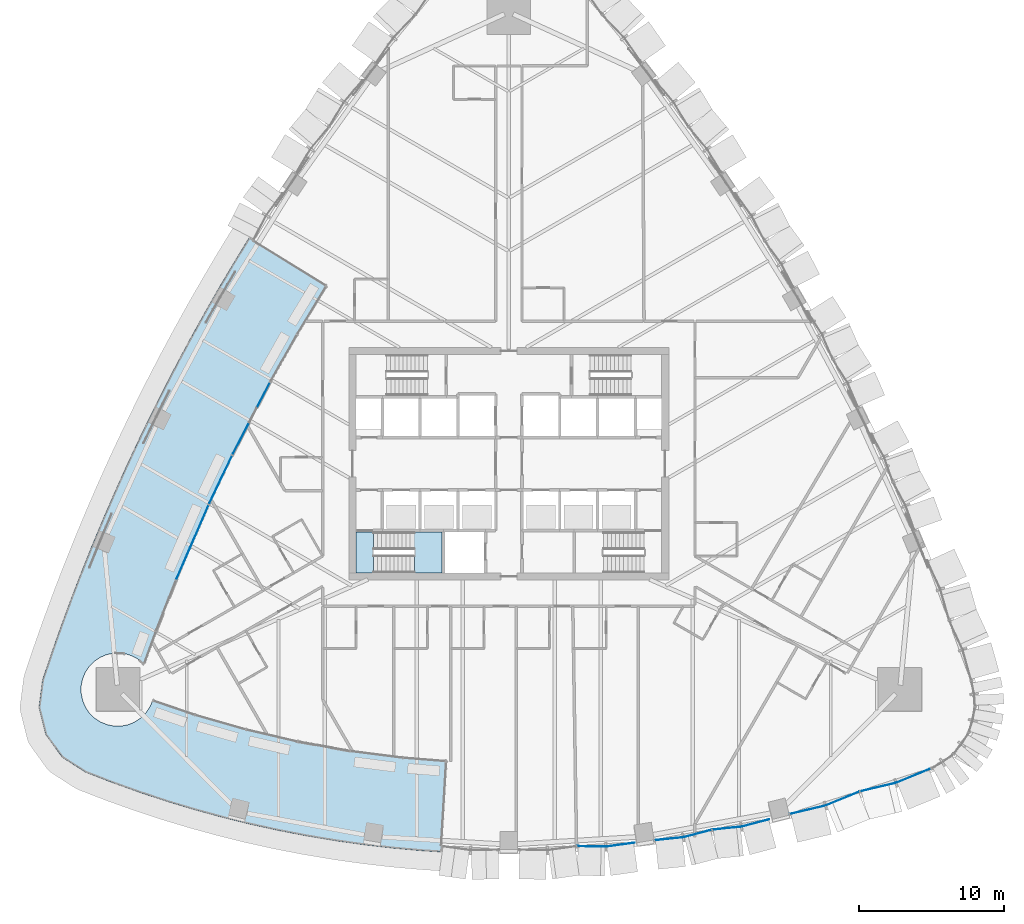
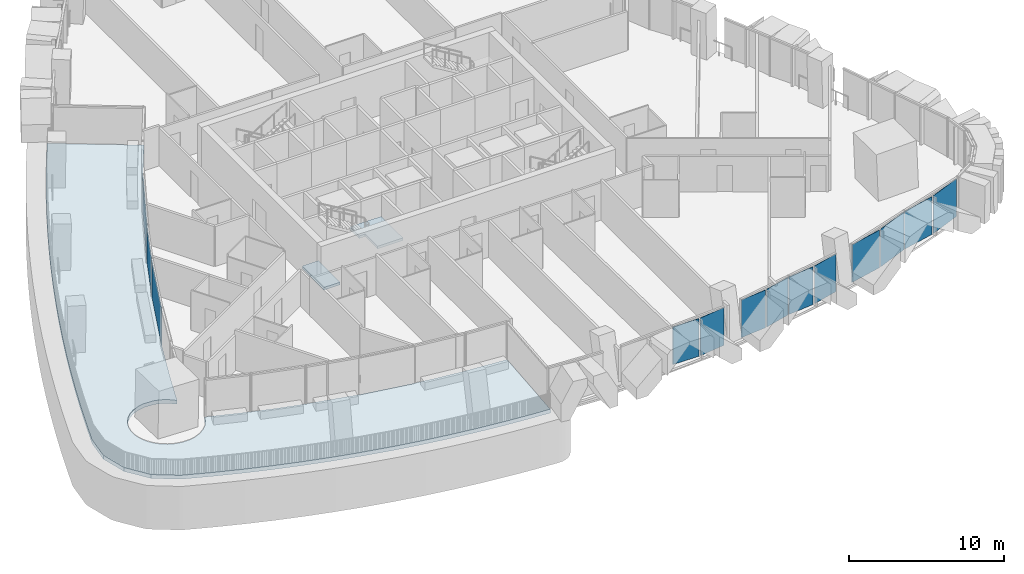
# One storey, part 10 of 24: 13 plates, 3 slabs, 7 elements without a shape of their own.
"""IFC4 building model written with IfcOpenShell, lengths in metres."""

import ifcopenshell
import ifcopenshell.guid

model = None  # the IFC model being written
_history = None  # IfcOwnerHistory: only IFC2X3 demands one
_inside = {}  # id of a spatial element -> (the spatial element, [elements in it])
_under = {}  # id of a project, library or spatial element -> (it, [spatial elements below it])
_declared = {}  # id of a project -> (the project, [libraries it declares])
_typed = {}  # id of a type object -> (the type object, [elements of that type])
_made_of = {}  # id of a material, layer set ... -> (it, [elements and type objects made of it])


def new_model(schema):
    """Start an empty IFC model of exactly this schema.

    Asked for "IFC4X3", IfcOpenShell would pick the latest addendum, in which some entities
    have other attributes; the version numbers below select the first issue.
    IFC2X3 requires an IfcOwnerHistory on every rooted entity: one is made here for all.
    """
    global model, _history
    if schema == "IFC4X3":
        model = ifcopenshell.file(schema_version=(4, 3, 0, 0))
    else:
        model = ifcopenshell.file(schema=schema)
    _inside.clear()
    _under.clear()
    _declared.clear()
    _typed.clear()
    _made_of.clear()
    _history = None
    if model.schema == "IFC2X3":
        org = make("IfcOrganization", Name="unknown")
        user = make(
            "IfcPersonAndOrganization",
            ThePerson=make("IfcPerson", FamilyName="unknown"),
            TheOrganization=org,
        )
        app = make(
            "IfcApplication",
            ApplicationDeveloper=org,
            Version="unknown",
            ApplicationFullName="unknown",
            ApplicationIdentifier="unknown",
        )
        _history = make(
            "IfcOwnerHistory",
            OwningUser=user,
            OwningApplication=app,
            ChangeAction="ADDED",
            CreationDate=0,
        )
    return model


def make(cls, **values):
    """One entity of the class cls with the attributes given. An attribute that is None is left unset."""
    return model.create_entity(
        cls, **{name: value for name, value in values.items() if value is not None}
    )


def rooted(cls, **values):
    """An entity with a GlobalId (a new one), such as an element, a storey or a relation."""
    return make(cls, GlobalId=ifcopenshell.guid.new(), OwnerHistory=_history, **values)


def si_unit(unit_type, name, prefix=None):
    """IfcSIUnit, for example si_unit("LENGTHUNIT", "METRE", prefix="MILLI")."""
    return make("IfcSIUnit", UnitType=unit_type, Prefix=prefix, Name=name)


def assignment(units):
    """IfcUnitAssignment: the units of a project."""
    return None if units is None else make("IfcUnitAssignment", Units=units)


def point(xyz):
    """IfcCartesianPoint."""
    return None if xyz is None else make("IfcCartesianPoint", Coordinates=xyz)


def direction(xyz):
    """IfcDirection."""
    return None if xyz is None else make("IfcDirection", DirectionRatios=xyz)


def frame(location, z_axis=None, x_axis=None):
    """IfcAxis2Placement3D, a coordinate frame: its origin and axes. An axis left out is left unset."""
    return make(
        "IfcAxis2Placement3D",
        Location=point(location),
        Axis=direction(z_axis),
        RefDirection=direction(x_axis),
    )


def frame_2d(location, x_axis=None):
    """IfcAxis2Placement2D, a coordinate frame in the plane: its origin and x axis."""
    return make(
        "IfcAxis2Placement2D", Location=point(location), RefDirection=direction(x_axis)
    )


def origin():
    """The frame at (0, 0, 0) with its axes left unset."""
    return frame((0.0, 0.0, 0.0))


def origin_2d():
    """The frame at (0, 0) in the plane with its x axis left unset."""
    return frame_2d((0.0, 0.0))


def place(relative_to, where):
    """IfcLocalPlacement: puts the frame where relative to a parent placement (None: the world)."""
    return make(
        "IfcLocalPlacement", PlacementRelTo=relative_to, RelativePlacement=where
    )


def context(
    kind, dimensions, precision=None, world=None, true_north=None, identifier=None
):
    """IfcGeometricRepresentationContext, for example the 3D "Model" context."""
    return make(
        "IfcGeometricRepresentationContext",
        ContextIdentifier=identifier,
        ContextType=kind,
        CoordinateSpaceDimension=dimensions,
        Precision=precision,
        WorldCoordinateSystem=world,
        TrueNorth=true_north,
    )


def subcontext(parent, identifier, kind, view, scale=None):
    """IfcGeometricRepresentationSubContext, for example "Body" below "Model"."""
    return make(
        "IfcGeometricRepresentationSubContext",
        ContextIdentifier=identifier,
        ContextType=kind,
        ParentContext=parent,
        TargetScale=scale,
        TargetView=view,
    )


def project(units=None, contexts=None):
    """IfcProject with its units and contexts."""
    return rooted(
        "IfcProject",
        Name="project",
        RepresentationContexts=contexts,
        UnitsInContext=assignment(units),
    )


def spatial(cls, under=None, at=None, **own):
    """A site, building, storey or space (cls), placed at a placement, below another one or the project."""
    s = rooted(cls, ObjectPlacement=at, **own)
    if under is not None:
        _under.setdefault(under.id(), (under, []))[1].append(s)
    return s


def polyline(points):
    """IfcPolyline through the points."""
    return make("IfcPolyline", Points=[point(p) for p in points])


def profile(cls, at=None, kind="AREA", **sizes):
    """A parametric profile (cls). Its sizes go by their IFC names, for example OverallWidth=200.0."""
    return make(cls, ProfileType=kind, Position=at, **sizes)


def rectangle(**sizes):
    """IfcRectangleProfileDef."""
    return profile("IfcRectangleProfileDef", **sizes)


def outline(outer, holes=None, kind="AREA"):
    """IfcArbitraryClosedProfileDef: a profile drawn as a closed curve; with holes, ...WithVoids."""
    if holes is None:
        return make("IfcArbitraryClosedProfileDef", ProfileType=kind, OuterCurve=outer)
    return make(
        "IfcArbitraryProfileDefWithVoids",
        ProfileType=kind,
        OuterCurve=outer,
        InnerCurves=holes,
    )


def extrude(swept, where, along, depth):
    """IfcExtrudedAreaSolid: the profile swept, set in the frame where, extruded along a direction by depth."""
    return make(
        "IfcExtrudedAreaSolid",
        SweptArea=swept,
        Position=where,
        ExtrudedDirection=direction(along),
        Depth=depth,
    )


def shape(context_of_items, identifier, shape_type, items):
    """IfcShapeRepresentation: the items that make up one representation, for example the "Body"."""
    return make(
        "IfcShapeRepresentation",
        ContextOfItems=context_of_items,
        RepresentationIdentifier=identifier,
        RepresentationType=shape_type,
        Items=items,
    )


def material(Name=None, Category=None):
    """IfcMaterial."""
    return make("IfcMaterial", Name=Name, Category=Category)


def layer(
    of_material, thickness, ventilated=None, Name=None, Category=None, Priority=None
):
    """IfcMaterialLayer: one layer of a wall or slab, of a material (None: an air gap)."""
    return make(
        "IfcMaterialLayer",
        Material=of_material,
        LayerThickness=thickness,
        IsVentilated=ventilated,
        Name=Name,
        Category=Category,
        Priority=Priority,
    )


def layer_set(layers, Name=None):
    """IfcMaterialLayerSet."""
    return make("IfcMaterialLayerSet", MaterialLayers=layers, LayerSetName=Name)


def made_of(thing, what):
    """Note that an element or type object is made of a material, layer set ...; save() writes the relation."""
    if what is not None:
        _made_of.setdefault(what.id(), (what, []))[1].append(thing)
    return thing


def type_object(cls, material=None, **own):
    """A type object (cls), such as IfcWallType, which elements share."""
    return made_of(rooted(cls, **own), material)


def element(
    cls,
    number,
    at=None,
    inside=None,
    cuts=None,
    type_object=None,
    material=None,
    context=None,
    identifier="Body",
    shape_type=None,
    held_by="IfcProductDefinitionShape",
    body=None,
    shapes=None,
    **own,
):
    """One element of the class cls, such as IfcWall. Its Tag is "e" and its number.

    at: its placement. inside: the storey or other place that contains it. cuts: it is an
    opening in that element (IfcRelVoidsElement). A single representation is given by context,
    identifier, shape_type and body (its items); several are given by shapes. held_by: the class
    of the entity that holds the representations. save() writes the other relations.
    """
    e = rooted(cls, Tag="e%d" % number, ObjectPlacement=at, **own)
    if body is not None:
        shapes = [shape(context, identifier, shape_type, body)]
    if shapes is not None:
        e.Representation = make(held_by, Representations=shapes)
    if inside is not None:
        _inside.setdefault(inside.id(), (inside, []))[1].append(e)
    if cuts is not None:
        rooted(
            "IfcRelVoidsElement", RelatingBuildingElement=cuts, RelatedOpeningElement=e
        )
    if type_object is not None:
        _typed.setdefault(type_object.id(), (type_object, []))[1].append(e)
    return made_of(e, material)


def aggregate(whole, parts):
    """IfcRelAggregates: a whole, such as a stair, and the parts it consists of."""
    return rooted("IfcRelAggregates", RelatingObject=whole, RelatedObjects=parts)


def save(model, path):
    """Write the relations noted so far, then the file.

    IfcRelAggregates (storeys below a building ...), IfcRelContainedInSpatialStructure (elements
    in a storey), IfcRelDefinesByType, IfcRelAssociatesMaterial and IfcRelDeclares: one each for
    every whole, place, type object, material and project.
    """
    for whole, parts in _under.values():
        aggregate(whole, parts)
    for where, things in _inside.values():
        rooted(
            "IfcRelContainedInSpatialStructure",
            RelatedElements=things,
            RelatingStructure=where,
        )
    for kind, things in _typed.values():
        rooted("IfcRelDefinesByType", RelatedObjects=things, RelatingType=kind)
    for what, things in _made_of.values():
        rooted("IfcRelAssociatesMaterial", RelatedObjects=things, RelatingMaterial=what)
    for by, libraries in _declared.values():
        rooted("IfcRelDeclares", RelatingContext=by, RelatedDefinitions=libraries)
    model.write(path)


model = new_model("IFC4")

# Units and contexts
model_context = context("Model", 3, precision=1e-05, world=origin(), true_north=direction((0.0, 1.0)))
body_context = subcontext(model_context, "Body", "Model", "MODEL_VIEW")
ifc_project = project(units=[si_unit("LENGTHUNIT", "METRE"), si_unit("AREAUNIT", "SQUARE_METRE"), si_unit("VOLUMEUNIT", "CUBIC_METRE"), si_unit("PLANEANGLEUNIT", "RADIAN"), si_unit("MASSUNIT", "GRAM", prefix="KILO")], contexts=[model_context])

# Site, building, storey
site_placement = place(None, origin())
site = spatial("IfcSite", under=ifc_project, at=site_placement, CompositionType="ELEMENT")
building_placement = place(site_placement, origin())
building = spatial("IfcBuilding", under=site, at=building_placement, Name="Sierra Prisma Convention Tower", CompositionType="ELEMENT")
storey_placement = place(building_placement, frame((0.0, 0.0, 59.10009765625)))
storey = spatial("IfcBuildingStorey", under=building, at=storey_placement, Name="L10", CompositionType="ELEMENT", Elevation=59.10009765625)

# Curtain wall, plates
ifc_material_1 = material(Name="Aluminium and glass curtain wall", Category="aluminium")
ifc_layer_1 = layer(ifc_material_1, 0.179931640625)
ifc_layer_set_1 = layer_set([ifc_layer_1], Name="CW-2 Faceted crystal curtain wall")
curtain_wall_type_1 = type_object("IfcCurtainWallType", Name="CW-2 Faceted crystal curtain wall", PredefinedType="NOTDEFINED", material=ifc_layer_set_1)
curtain_wall_1_placement = place(storey_placement, origin())
curtain_wall_1 = element("IfcCurtainWall", 1, at=curtain_wall_1_placement, inside=storey, type_object=curtain_wall_type_1, Name="CW-2 S4 L10", PredefinedType="NOTDEFINED")
ifc_material_2 = material(Name="Tinted glass bronze-grey IGU", Category="glass")
ifc_layer_2 = layer(ifc_material_2, 0.028076171875)
ifc_layer_set_2 = layer_set([ifc_layer_2], Name="CW-2 crystal pane")
plate_type_1 = type_object("IfcPlateType", Name="CW-2 crystal pane", PredefinedType="CURTAIN_PANEL", material=ifc_layer_set_2)
plate_1_placement = place(storey_placement, frame((4.69189453125, -26.3134765625, 0.0), z_axis=(-0.018552983004, -0.999827878598, 0.0), x_axis=(0.999827878598, -0.018552983004, 0.0)))
plate_1 = element("IfcPlate", 2, at=plate_1_placement, type_object=plate_type_1, Name="CW-2 pane S4.2.1", PredefinedType="CURTAIN_PANEL", context=body_context, shape_type="SweptSolid", body=[
    extrude(outline(polyline([(0.0, 0.0), (1.9212291221501858, 0.0), (1.9212291221501858, 2.97998046875), (0.0, 2.97998046875), (0.0, 0.0)])), origin(), (0.0, 0.0, -1.0), 0.028076171875),
])
plate_2_placement = place(storey_placement, frame((8.64501953125, -26.076171875, 0.0), z_axis=(0.138004707245, -0.990431572991, 0.0), x_axis=(-0.990431572991, -0.138004707245, 0.0)))
plate_2 = element("IfcPlate", 3, at=plate_2_placement, type_object=plate_type_1, Name="CW-2 pane S4.2.2", PredefinedType="CURTAIN_PANEL", context=body_context, shape_type="SweptSolid", body=[
    extrude(outline(polyline([(0.0, 0.0), (1.921215037100355, 0.0), (1.921215037100355, -2.97998046875), (0.0, -2.97998046875), (0.0, 0.0)])), origin(), (0.0, 0.0, -1.0), 0.028076171875),
])
aggregate(curtain_wall_1, [plate_1, plate_2])

curtain_wall_2_placement = place(storey_placement, origin())
curtain_wall_2 = element("IfcCurtainWall", 4, at=curtain_wall_2_placement, inside=storey, type_object=curtain_wall_type_1, Name="CW-2 S5 L10", PredefinedType="NOTDEFINED")
plate_3_placement = place(storey_placement, frame((10.0205078125, -25.9072265625, 0.0), z_axis=(0.101778938133, -0.994807040462, 0.0), x_axis=(0.994807040462, 0.101778938133, 0.0)))
plate_3 = element("IfcPlate", 5, at=plate_3_placement, type_object=plate_type_1, Name="CW-2 pane S5.1.1", PredefinedType="CURTAIN_PANEL", context=body_context, shape_type="SweptSolid", body=[
    extrude(outline(polyline([(0.0, 0.0), (1.933379806858854, 0.0), (1.933379806858854, 2.97998046875), (0.0, 2.97998046875), (0.0, 0.0)])), origin(), (0.0, 0.0, -1.0), 0.028076171875),
])
plate_4_placement = place(storey_placement, frame((13.93994140625, -25.192138671875, 0.0), z_axis=(0.256121656514, -0.9666445557, 0.0), x_axis=(-0.9666445557, -0.256121656514, 0.0)))
plate_4 = element("IfcPlate", 6, at=plate_4_placement, type_object=plate_type_1, Name="CW-2 pane S5.1.2", PredefinedType="CURTAIN_PANEL", context=body_context, shape_type="SweptSolid", body=[
    extrude(outline(polyline([(0.0, 0.0), (1.933132848813107, 0.0), (1.933132848813107, -2.9799804687500004), (0.0, -2.9799804687500004), (0.0, 0.0)])), origin(), (0.0, 0.0, -1.0), 0.028076171875),
])
plate_5_placement = place(storey_placement, frame((14.0087890625, -25.179443359375, 0.0), z_axis=(0.101778938133, -0.994807040462, 0.0), x_axis=(0.994807040462, 0.101778938133, 0.0)))
plate_5 = element("IfcPlate", 7, at=plate_5_placement, type_object=plate_type_1, Name="CW-2 pane S5.2.1", PredefinedType="CURTAIN_PANEL", context=body_context, shape_type="SweptSolid", body=[
    extrude(outline(polyline([(0.0, 0.0), (1.933379806858854, 0.0), (1.933379806858854, 2.97998046875), (0.0, 2.97998046875), (0.0, 0.0)])), origin(), (0.0, 0.0, -1.0), 0.028076171875),
])
plate_6_placement = place(storey_placement, frame((17.92822265625, -24.46435546875, 0.0), z_axis=(0.256121656514, -0.9666445557, 0.0), x_axis=(-0.9666445557, -0.256121656514, 0.0)))
plate_6 = element("IfcPlate", 8, at=plate_6_placement, type_object=plate_type_1, Name="CW-2 pane S5.2.2", PredefinedType="CURTAIN_PANEL", context=body_context, shape_type="SweptSolid", body=[
    extrude(outline(polyline([(0.0, 0.0), (1.933132848813107, 0.0), (1.933132848813107, -2.9799804687500004), (0.0, -2.9799804687500004), (0.0, 0.0)])), origin(), (0.0, 0.0, -1.0), 0.028076171875),
])
aggregate(curtain_wall_2, [plate_3, plate_4, plate_5, plate_6])

curtain_wall_3_placement = place(storey_placement, origin())
curtain_wall_3 = element("IfcCurtainWall", 9, at=curtain_wall_3_placement, inside=storey, type_object=curtain_wall_type_1, Name="CW-2 S6 L10", PredefinedType="NOTDEFINED")
plate_7_placement = place(storey_placement, frame((19.333740234375, -24.103759765625, 0.0), z_axis=(0.230929975978, -0.972970372722, 0.0), x_axis=(0.972970372722, 0.230929975978, 0.0)))
plate_7 = element("IfcPlate", 10, at=plate_7_placement, type_object=plate_type_1, Name="CW-2 pane S6.1.1", PredefinedType="CURTAIN_PANEL", context=body_context, shape_type="SweptSolid", body=[
    extrude(outline(polyline([(0.0, 0.0), (2.453775817649766, 0.0), (2.453775817649766, 2.97998046875), (0.0, 2.97998046875), (0.0, 0.0)])), origin(), (0.0, 0.0, -1.0), 0.028076171875),
])
plate_8_placement = place(storey_placement, frame((24.1142578125, -22.564453125, 0.0), z_axis=(0.380259355029, -0.92487989648, 0.0), x_axis=(-0.92487989648, -0.380259355029, 0.0)))
plate_8 = element("IfcPlate", 11, at=plate_8_placement, type_object=plate_type_1, Name="CW-2 pane S6.1.2", PredefinedType="CURTAIN_PANEL", context=body_context, shape_type="SweptSolid", body=[
    extrude(outline(polyline([(0.0, 0.0), (2.453865911279123, 0.0), (2.453865911279123, -2.97998046875), (0.0, -2.97998046875), (0.0, 0.0)])), origin(), (0.0, 0.0, -1.0), 0.028076171875),
])
plate_9_placement = place(storey_placement, frame((24.180908203125, -22.54296875, 0.0), z_axis=(0.230929975978, -0.972970372722, 0.0), x_axis=(0.972970372722, 0.230929975978, 0.0)))
plate_9 = element("IfcPlate", 12, at=plate_9_placement, type_object=plate_type_1, Name="CW-2 pane S6.2.1", PredefinedType="CURTAIN_PANEL", context=body_context, shape_type="SweptSolid", body=[
    extrude(outline(polyline([(0.0, 0.0), (2.453775817649766, 0.0), (2.453775817649766, 2.97998046875), (0.0, 2.97998046875), (0.0, 0.0)])), origin(), (0.0, 0.0, -1.0), 0.028076171875),
])
plate_10_placement = place(storey_placement, frame((28.96142578125, -21.003662109375, 0.0), z_axis=(0.380259355029, -0.92487989648, 0.0), x_axis=(-0.92487989648, -0.380259355029, 0.0)))
plate_10 = element("IfcPlate", 13, at=plate_10_placement, type_object=plate_type_1, Name="CW-2 pane S6.2.2", PredefinedType="CURTAIN_PANEL", context=body_context, shape_type="SweptSolid", body=[
    extrude(outline(polyline([(0.0, 0.0), (2.453865911279123, 0.0), (2.453865911279123, -2.97998046875), (0.0, -2.97998046875), (0.0, 0.0)])), origin(), (0.0, 0.0, -1.0), 0.028076171875),
])
aggregate(curtain_wall_3, [plate_7, plate_8, plate_9, plate_10])

# Curtain wall, plate
ifc_material_3 = material(Name="Aluminium and glass curtain wall", Category="aluminium")
ifc_layer_3 = layer(ifc_material_3, 0.179931640625)
ifc_layer_set_3 = layer_set([ifc_layer_3], Name="CW-6 Terrace recess curtain wall")
curtain_wall_type_2 = type_object("IfcCurtainWallType", Name="CW-6 Terrace recess curtain wall", PredefinedType="NOTDEFINED", material=ifc_layer_set_3)
curtain_wall_4_placement = place(storey_placement, origin())
curtain_wall_4 = element("IfcCurtainWall", 14, at=curtain_wall_4_placement, inside=storey, type_object=curtain_wall_type_2, Name="CW-6 R3 L10", PredefinedType="NOTDEFINED")
ifc_material_4 = material(Name="Tinted glass bronze-grey IGU", Category="glass")
ifc_layer_4 = layer(ifc_material_4, 0.028076171875)
ifc_layer_set_4 = layer_set([ifc_layer_4], Name="CW-6 glass panel")
plate_type_2 = type_object("IfcPlateType", Name="CW-6 glass panel", PredefinedType="CURTAIN_PANEL", material=ifc_layer_set_4)
plate_11_placement = place(storey_placement, frame((-17.7060546875, 3.12890625, 0.0), z_axis=(0.0, 0.0, 1.0), x_axis=(-0.460266819277, -0.887780634545, 0.0)))
plate_11 = element("IfcPlate", 15, at=plate_11_placement, type_object=plate_type_2, Name="CW-6 panel R3.1", PredefinedType="CURTAIN_PANEL", context=body_context, shape_type="SweptSolid", body=[
    extrude(rectangle(XDim=5.516845703125, YDim=0.028076171875, at=origin_2d()), origin(), (0.0, 0.0, 1.0), 2.919921875),
])
aggregate(curtain_wall_4, [plate_11])

curtain_wall_5_placement = place(storey_placement, origin())
curtain_wall_5 = element("IfcCurtainWall", 16, at=curtain_wall_5_placement, inside=storey, type_object=curtain_wall_type_2, Name="CW-6 R4 L10", PredefinedType="NOTDEFINED")
plate_12_placement = place(storey_placement, frame((-19.817138671875, -1.08544921875, 0.0), z_axis=(0.0, 0.0, 1.0), x_axis=(-0.429148646654, -0.903233878392, 0.0)))
plate_12 = element("IfcPlate", 17, at=plate_12_placement, type_object=plate_type_2, Name="CW-6 panel R4.1", PredefinedType="CURTAIN_PANEL", context=body_context, shape_type="SweptSolid", body=[
    extrude(rectangle(XDim=3.63134765625, YDim=0.028076171875, at=origin_2d()), origin(), (0.0, 0.0, 1.0), 2.919921875),
])
aggregate(curtain_wall_5, [plate_12])

curtain_wall_6_placement = place(storey_placement, origin())
curtain_wall_6 = element("IfcCurtainWall", 18, at=curtain_wall_6_placement, inside=storey, type_object=curtain_wall_type_2, Name="CW-6 R5 L10", PredefinedType="NOTDEFINED")
plate_13_placement = place(storey_placement, frame((-21.750732421875, -5.384033203125, 0.0), z_axis=(0.0, 0.0, 1.0), x_axis=(-0.397512430068, -0.917596789413, 0.0)))
plate_13 = element("IfcPlate", 19, at=plate_13_placement, type_object=plate_type_2, Name="CW-6 panel R5.1", PredefinedType="CURTAIN_PANEL", context=body_context, shape_type="SweptSolid", body=[
    extrude(rectangle(XDim=5.516845703125, YDim=0.028076171875, at=origin_2d()), origin(), (0.0, 0.0, 1.0), 2.919921875),
])
aggregate(curtain_wall_6, [plate_13])

# Stair, slab
ifc_material_5 = material(Name="Concrete C30/37", Category="concrete")
stair_type = type_object("IfcStairType", Name="Stair dog-leg 1200 RC", PredefinedType="HALF_TURN_STAIR", material=ifc_material_5)
stair_placement = place(storey_placement, origin())
stair = element("IfcStair", 20, at=stair_placement, inside=storey, type_object=stair_type, Name="L10 S1", PredefinedType="HALF_TURN_STAIR")
ifc_material_6 = material(Name="Concrete C35/45", Category="concrete")
ifc_layer_5 = layer(ifc_material_6, 0.199951171875)
ifc_layer_set_5 = layer_set([ifc_layer_5], Name="Stair landing slab")
slab_type_1 = type_object("IfcSlabType", Name="Stair landing slab", PredefinedType="LANDING", material=ifc_layer_set_5)
slab_1_placement = place(storey_placement, frame((0.0, 0.0, 1.64990234375)))
slab_1 = element("IfcSlab", 21, at=slab_1_placement, type_object=slab_type_1, Name="S1 landing 1", PredefinedType="LANDING", context=body_context, shape_type="SweptSolid", body=[
    extrude(outline(polyline([(-4.60009765625, -4.699951171875), (-4.60009765625, -7.5), (-6.501953125, -7.5), (-6.501953125, -5.89990234375), (-6.949951171875, -5.89990234375), (-6.949951171875, -4.699951171875), (-4.60009765625, -4.699951171875)])), origin(), (0.0, 0.0, 1.0), 0.199951171875),
])
aggregate(stair, [slab_1])

# Slabs
slab_2_placement = place(storey_placement, frame((0.0, 0.0, -0.2001953125)))
element("IfcSlab", 22, at=slab_2_placement, inside=storey, type_object=slab_type_1, Name="S1 floor landing L10", PredefinedType="LANDING", context=body_context, shape_type="SweptSolid", body=[
    extrude(outline(polyline([(-10.5, -7.5), (-9.298095703125, -7.5), (-9.298095703125, -4.699951171875), (-10.5, -4.699951171875), (-10.5, -7.5)])), origin(), (0.0, 0.0, 1.0), 0.2001953125),
])
ifc_material_7 = material(Name="Concrete C50/60", Category="concrete")
ifc_layer_6 = layer(ifc_material_7, 0.300048828125)
ifc_layer_set_6 = layer_set([ifc_layer_6], Name="Terrace slab")
slab_type_2 = type_object("IfcSlabType", Name="Terrace slab", PredefinedType="FLOOR", material=ifc_layer_set_6)
slab_3_placement = place(storey_placement, frame((0.0, 0.0, -0.300048828125)))
element("IfcSlab", 23, at=slab_3_placement, inside=storey, type_object=slab_type_2, Name="Terrace slab L10", PredefinedType="FLOOR", context=body_context, shape_type="SweptSolid", body=[
    extrude(outline(polyline([(-17.87939453125, 15.522216796875), (-17.92431640625, 15.450927734375), (-18.95166015625, 13.766845703125), (-19.95556640625, 12.06884765625), (-20.935546875, 10.35693359375), (-21.891845703125, 8.631591796875), (-22.823974609375, 6.893310546875), (-23.73193359375, 5.14208984375), (-24.615478515625, 3.378173828125), (-25.474365234375, 1.6025390625), (-26.308349609375, -0.18505859375), (-27.11767578125, -1.984130859375), (-27.90185546875, -3.794189453125), (-28.66064453125, -5.61474609375), (-29.394287109375, -7.446044921875), (-30.102294921875, -9.287109375), (-30.78466796875, -11.137939453125), (-31.441162109375, -12.998046875), (-32.07177734375, -14.8671875), (-32.3203125, -16.766845703125), (-31.852294921875, -18.62451171875), (-30.733642578125, -20.1796875), (-29.12109375, -21.214111328125), (-27.265869140625, -21.93212890625), (-25.392822265625, -22.602783203125), (-23.50341796875, -23.225341796875), (-21.598876953125, -23.7998046875), (-19.68017578125, -24.325439453125), (-17.748779296875, -24.802001953125), (-15.8056640625, -25.2294921875), (-13.8525390625, -25.60693359375), (-11.890380859375, -25.934814453125), (-9.92041015625, -26.212646484375), (-7.944091796875, -26.440185546875), (-5.962646484375, -26.6171875), (-4.681396484375, -26.698974609375), (-4.305419921875, -20.460205078125), (-7.308349609375, -20.221923828125), (-9.126708984375, -20.0126953125), (-10.93896484375, -19.757080078125), (-14.541015625, -19.108154296875), (-18.10546875, -18.276611328125), (-19.87060546875, -17.79296875), (-21.622802734375, -17.2646484375), (-24.496826171875, -16.28515625), (-24.678466796875, -16.720458984375), (-24.953125, -17.13134765625), (-25.302490234375, -17.48095703125), (-25.713623046875, -17.755615234375), (-26.170166015625, -17.944580078125), (-26.655029296875, -18.041015625), (-27.149169921875, -18.041015625), (-27.634033203125, -17.944580078125), (-28.090576171875, -17.755615234375), (-28.501708984375, -17.48095703125), (-28.85107421875, -17.13134765625), (-29.125732421875, -16.720458984375), (-29.31494140625, -16.263916015625), (-29.411376953125, -15.779052734375), (-29.411376953125, -15.284912109375), (-29.31494140625, -14.800048828125), (-29.125732421875, -14.343505859375), (-28.85107421875, -13.932373046875), (-28.501708984375, -13.5830078125), (-28.090576171875, -13.308349609375), (-27.634033203125, -13.119140625), (-27.149169921875, -13.022705078125), (-26.41015625, -13.05908203125), (-25.937255859375, -13.20263671875), (-25.501220703125, -13.435546875), (-25.08984375, -13.78173828125), (-24.253173828125, -11.48974609375), (-22.875, -7.979248046875), (-20.62646484375, -2.78857421875), (-19.0078125, 0.617919921875), (-16.404296875, 5.639892578125), (-14.55322265625, 8.92578125), (-12.553466796875, 12.227294921875), (-17.87939453125, 15.522216796875)])), origin(), (0.0, 0.0, 1.0), 0.300048828125),
])

save(model, "model.ifc")
